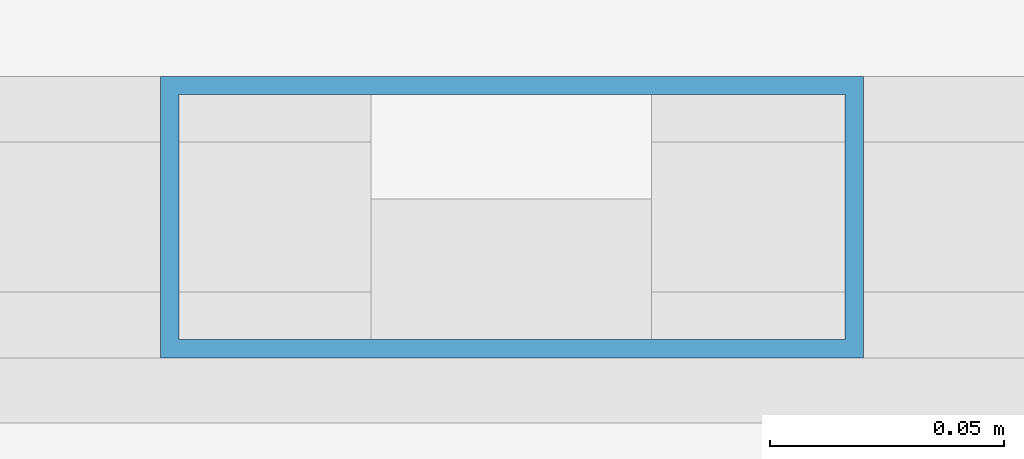
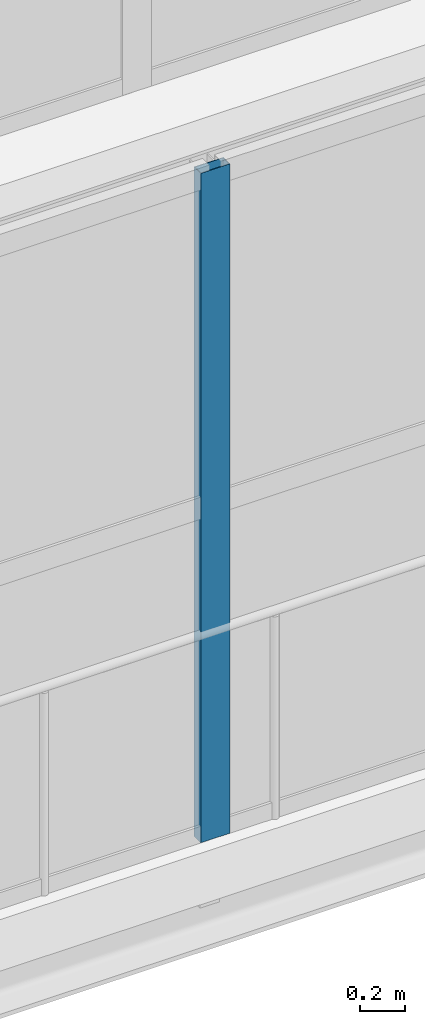
# One storey, part 44 of 175: 1 member, 1 element without a shape of its own.
"""IFC4 building model written with IfcOpenShell, lengths in metres."""

from ifc_helpers import new_model, si_unit, direction, frame, origin, origin_2d, place, context, subcontext, project, spatial, hollow_rectangle, extrude, material, layer, layer_set, material_profile, profile_set, type_object, element, aggregate, save


model = new_model("IFC4")

# Units and contexts
model_context = context("Model", 3, precision=1e-05, world=origin(), true_north=direction((0.0, 1.0)))
body_context = subcontext(model_context, "Body", "Model", "MODEL_VIEW")
ifc_project = project(units=[si_unit("LENGTHUNIT", "METRE"), si_unit("AREAUNIT", "SQUARE_METRE"), si_unit("VOLUMEUNIT", "CUBIC_METRE"), si_unit("PLANEANGLEUNIT", "RADIAN"), si_unit("MASSUNIT", "GRAM", prefix="KILO")], contexts=[model_context])

# Site, building, storey
site_placement = place(None, origin())
site = spatial("IfcSite", under=ifc_project, at=site_placement, CompositionType="ELEMENT")
building_placement = place(site_placement, origin())
building = spatial("IfcBuilding", under=site, at=building_placement, Name="Zizhar Promenade General Hospital", CompositionType="ELEMENT")
storey_placement = place(building_placement, frame((0.0, 0.0, 4.800048828125)))
storey = spatial("IfcBuildingStorey", under=building, at=storey_placement, Name="L01", CompositionType="ELEMENT", Elevation=4.800048828125)

# Curtain wall, member
ifc_material_1 = material(Name="Anodised aluminium 6063-T6 and low-E glass", Category="aluminium")
ifc_layer = layer(ifc_material_1, 0.159912109375)
ifc_layer_set = layer_set([ifc_layer], Name="Anodised aluminium 6063-T6 and low-E glass")
curtain_wall_type = type_object("IfcCurtainWallType", Name="CW-SKY-GLZ", PredefinedType="NOTDEFINED", material=ifc_layer_set)
curtain_wall_placement = place(storey_placement, origin())
curtain_wall = element("IfcCurtainWall", 1, at=curtain_wall_placement, inside=storey, type_object=curtain_wall_type, Name="Courtyard Clinical Skybridge Level L01 South Glazing 1", PredefinedType="NOTDEFINED")
ifc_material_2 = material(Name="Anodised aluminium 6063-T6", Category="aluminium")
ifc_material_profile = material_profile(ifc_material_2, hollow_rectangle(XDim=0.06005859375, YDim=0.14990234375, WallThickness=0.00390625, at=origin_2d()))
ifc_profile_set = profile_set([ifc_material_profile], Name="Anodised aluminium 6063-T6")
member_type = type_object("IfcMemberType", Name="CWM-ALU-150x60", PredefinedType="MULLION", material=ifc_profile_set)
member_placement = place(storey_placement, frame((77.60009765625, 60.699951171875, 0.0), z_axis=(0.0, 0.0, 1.0), x_axis=(0.0, -1.0, 0.0)))
member = element("IfcMember", 2, at=member_placement, type_object=member_type, Name="CW-15 mullion 4", PredefinedType="MULLION", context=body_context, shape_type="SweptSolid", body=[
    extrude(hollow_rectangle(XDim=0.06005859375, YDim=0.14990234375, WallThickness=0.00390625, at=origin_2d()), origin(), (0.0, 0.0, 1.0), 3.639892578125),
])
aggregate(curtain_wall, [member])

save(model, "model.ifc")
